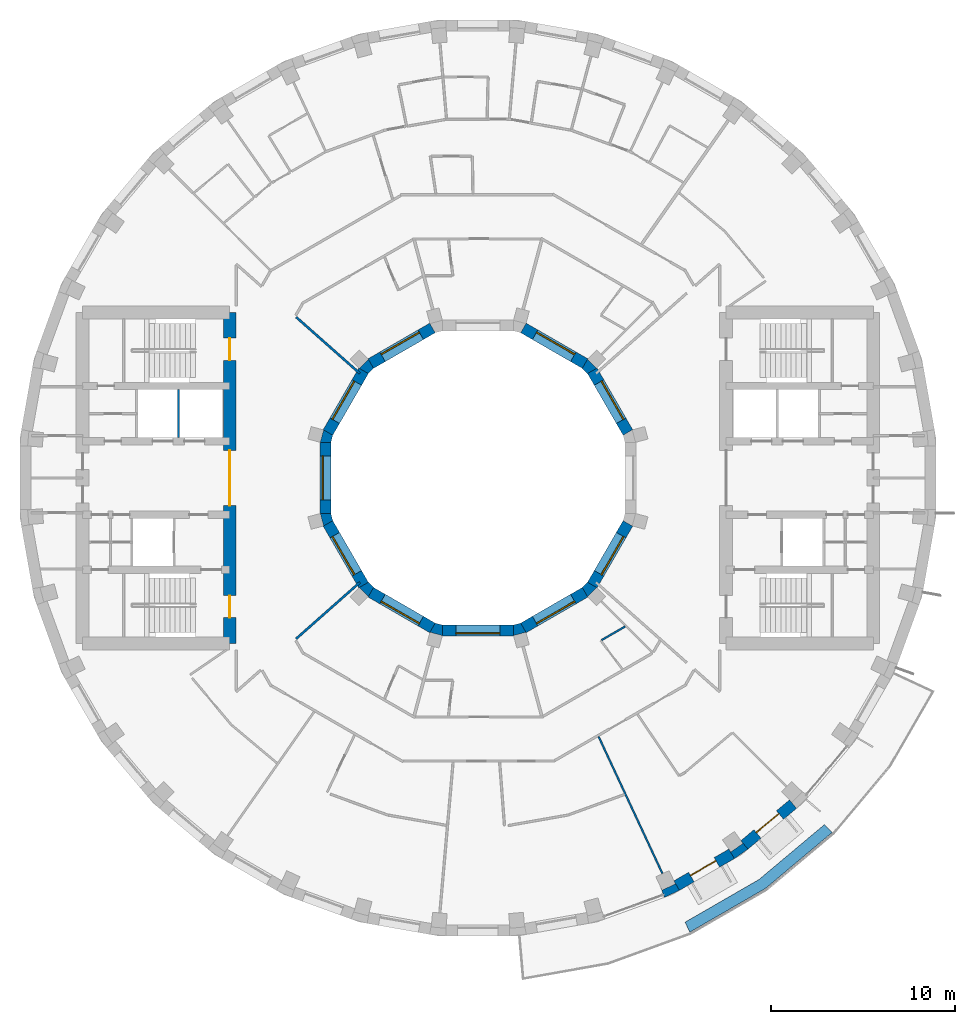
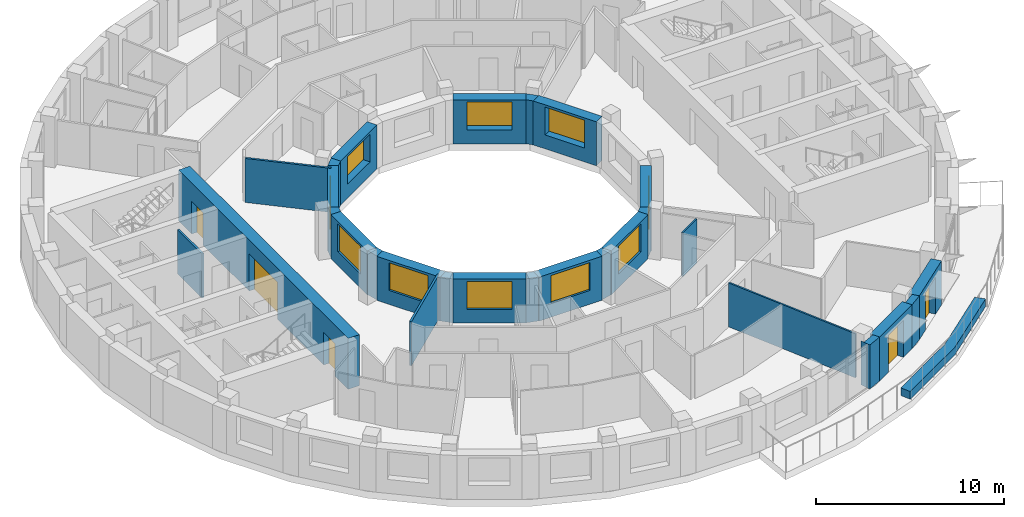
# One storey, part 8 of 15: 29 walls, 10 windows, 5 doors, 15 openings.
"""IFC4 building model written with IfcOpenShell, lengths in metres."""

from ifc_helpers import new_model, si_unit, direction, frame, frame_2d, origin, place, context, subcontext, project, spatial, polyline, rectangle, outline, extrude, material, layer, layer_set, type_object, element, fill, save


model = new_model("IFC4")

# Units and contexts
model_context = context("Model", 3, precision=1e-05, world=origin(), true_north=direction((0.0, 1.0)))
body_context = subcontext(model_context, "Body", "Model", "MODEL_VIEW")
ifc_project = project(units=[si_unit("LENGTHUNIT", "METRE"), si_unit("AREAUNIT", "SQUARE_METRE"), si_unit("VOLUMEUNIT", "CUBIC_METRE"), si_unit("PLANEANGLEUNIT", "RADIAN"), si_unit("MASSUNIT", "GRAM", prefix="KILO")], contexts=[model_context])

# Site, building, storey
site_placement = place(None, origin())
site = spatial("IfcSite", under=ifc_project, at=site_placement, CompositionType="ELEMENT")
building_placement = place(site_placement, origin())
building = spatial("IfcBuilding", under=site, at=building_placement, Name="Saqina Gate Tower", CompositionType="ELEMENT")
storey_placement = place(building_placement, frame((0.0, 0.0, 167.39990234375)))
storey = spatial("IfcBuildingStorey", under=building, at=storey_placement, Name="L47", CompositionType="ELEMENT", Elevation=167.39990234375)

# Walls
ifc_material_1 = material(Name="Brick masonry (buff)", Category="masonry")
wall_type_1 = type_object("IfcWallType", Name="BRICK PIER COPING BUFF", PredefinedType="SOLIDWALL", material=ifc_material_1)
wall_1_placement = place(storey_placement, origin())
element("IfcWall", 1, at=wall_1_placement, inside=storey, type_object=wall_type_1, Name="Pier cap L47 column 30", PredefinedType="SOLIDWALL", context=body_context, shape_type="SweptSolid", body=[
    extrude(outline(polyline([(10.958740234375, -22.4306640625), (10.65869140625, -21.9111328125), (10.73779296875, -22.080810546875), (10.0126953125, -22.4189453125), (9.93359375, -22.249267578125), (10.138916015625, -22.81298828125), (10.958740234375, -22.4306640625)])), origin(), (0.0, 0.0, 1.0), 2.85009765625),
])
wall_2_placement = place(storey_placement, origin())
element("IfcWall", 2, at=wall_2_placement, inside=storey, type_object=wall_type_1, Name="Pier cap L47 column 31", PredefinedType="SOLIDWALL", context=body_context, shape_type="SweptSolid", body=[
    extrude(outline(polyline([(13.9462890625, -20.705810546875), (14.687255859375, -20.18701171875), (14.301513671875, -19.727294921875), (14.408935546875, -19.880859375), (13.753662109375, -20.339599609375), (13.646240234375, -20.186279296875), (13.9462890625, -20.705810546875)])), origin(), (0.0, 0.0, 1.0), 2.85009765625),
])

# Wall, opening, door
ifc_material_2 = material(Name="Brick masonry (buff)", Category="masonry")
ifc_layer_1 = layer(ifc_material_2, 0.60009765625)
ifc_layer_set_1 = layer_set([ifc_layer_1], Name="FW-BRICK-BUFF")
wall_type_2 = type_object("IfcWallType", Name="FW-BRICK-BUFF", PredefinedType="SOLIDWALL", material=ifc_layer_set_1)
wall_3_placement = place(storey_placement, frame((10.80859375, -22.1708984375, 0.0), z_axis=(0.0, 0.0, 1.0), x_axis=(0.86602648383, 0.499998129301, 0.0)))
wall_3 = element("IfcWall", 3, at=wall_3_placement, inside=storey, type_object=wall_type_2, Name="Facade wall L47 facet 30", PredefinedType="SOLIDWALL", context=body_context, shape_type="SweptSolid", body=[
    extrude(rectangle(XDim=3.44970703125, YDim=0.60009765625, at=frame_2d((1.724853515625, 0.0))), origin(), (0.0, 0.0, 1.0), 2.85009765625),
])
opening_1_placement = place(wall_3_placement, frame((0.9248046875, 0.0, 0.0)))
opening_1 = element("IfcOpeningElement", 4, at=opening_1_placement, cuts=wall_3, Name="Opening G13-D80", PredefinedType="OPENING", context=body_context, shape_type="SweptSolid", body=[
    extrude(rectangle(XDim=1.60009765625, YDim=2.39990234375, at=frame_2d((0.800048828125, 1.199951171875))), frame((0.0, 0.31201171875, 0.0), z_axis=(0.0, -1.0, 0.0), x_axis=(1.0, 0.0, 0.0)), (0.0, 0.0, 1.0), 0.6240234375),
])
ifc_material_3 = material(Name="Aluminium glazing", Category="aluminium")
door_type_1 = type_object("IfcDoorType", Name="GD-C", OperationType="DOUBLE_DOOR_SINGLE_SWING", PredefinedType="DOOR", material=ifc_material_3)
door_1_placement = place(opening_1_placement, frame((1.60009765625, 0.0, 0.0), z_axis=(0.0, 0.0, 1.0), x_axis=(-1.0, 0.0, 0.0)))
door_1 = element("IfcDoor", 5, at=door_1_placement, inside=storey, type_object=door_type_1, Name="Terrace door L47 facet 30", OperationType="DOUBLE_DOOR_SINGLE_SWING", OverallHeight=2.39990234375, OverallWidth=1.60009765625, PredefinedType="DOOR", context=body_context, shape_type="SweptSolid", body=[
    extrude(rectangle(XDim=1.60009765625, YDim=2.39990234375, at=frame_2d((0.800048828125, 1.199951171875))), frame((0.0, -0.0751953125, 0.0), z_axis=(0.0, -1.0, 0.0), x_axis=(1.0, 0.0, 0.0)), (0.0, 0.0, 1.0), 0.050048828125),
])
fill(opening_1, door_1)

wall_4_placement = place(storey_placement, frame((14.494384765625, -19.95703125, 0.0), z_axis=(0.0, 0.0, 1.0), x_axis=(0.766058884809, 0.642770398358, 0.0)))
wall_4 = element("IfcWall", 6, at=wall_4_placement, inside=storey, type_object=wall_type_2, Name="Facade wall L47 facet 31", PredefinedType="SOLIDWALL", context=body_context, shape_type="SweptSolid", body=[
    extrude(rectangle(XDim=3.449462890625, YDim=0.60009765625, at=frame_2d((1.724609375, 0.0))), origin(), (0.0, 0.0, 1.0), 2.85009765625),
])
opening_2_placement = place(wall_4_placement, frame((0.9248046875, 0.0, 0.0)))
opening_2 = element("IfcOpeningElement", 7, at=opening_2_placement, cuts=wall_4, Name="Opening G13-D81", PredefinedType="OPENING", context=body_context, shape_type="SweptSolid", body=[
    extrude(rectangle(XDim=1.60009765625, YDim=2.39990234375, at=frame_2d((0.800048828125, 1.199951171875))), frame((0.0, 0.31201171875, 0.0), z_axis=(0.0, -1.0, 0.0), x_axis=(1.0, 0.0, 0.0)), (0.0, 0.0, 1.0), 0.6240234375),
])
door_2_placement = place(opening_2_placement, frame((1.60009765625, 0.0, 0.0), z_axis=(0.0, 0.0, 1.0), x_axis=(-1.0, 0.0, 0.0)))
door_2 = element("IfcDoor", 8, at=door_2_placement, inside=storey, type_object=door_type_1, Name="Terrace door L47 facet 31", OperationType="DOUBLE_DOOR_SINGLE_SWING", OverallHeight=2.39990234375, OverallWidth=1.60009765625, PredefinedType="DOOR", context=body_context, shape_type="SweptSolid", body=[
    extrude(rectangle(XDim=1.60009765625, YDim=2.39990234375, at=frame_2d((0.800048828125, 1.199951171875))), frame((0.0, -0.0751953125, 0.0), z_axis=(0.0, -1.0, 0.0), x_axis=(1.0, 0.0, 0.0)), (0.0, 0.0, 1.0), 0.050048828125),
])
fill(opening_2, door_2)

# Wall, opening, window
ifc_material_4 = material(Name="Glazed ceramic tile", Category="ceramic")
ifc_layer_2 = layer(ifc_material_4, 0.60009765625)
ifc_layer_set_2 = layer_set([ifc_layer_2], Name="IW-TILE")
wall_type_3 = type_object("IfcWallType", Name="IW-TILE", PredefinedType="SOLIDWALL", material=ifc_layer_set_2)
wall_5_placement = place(storey_placement, frame((8.155517578125, 2.474365234375, 0.0), z_axis=(0.0, 0.0, 1.0), x_axis=(-0.500033728941, 0.866005929495, 0.0)))
wall_5 = element("IfcWall", 9, at=wall_5_placement, inside=storey, type_object=wall_type_3, Name="Well wall L47 facet 1", PredefinedType="SOLIDWALL", context=body_context, shape_type="SweptSolid", body=[
    extrude(rectangle(XDim=3.869873046875, YDim=0.60009765625, at=frame_2d((1.93505859375, 0.0))), origin(), (0.0, 0.0, 1.0), 2.85009765625),
])
opening_3_placement = place(wall_5_placement, frame((0.73486328125, 0.0, 0.89990234375)))
opening_3 = element("IfcOpeningElement", 10, at=opening_3_placement, cuts=wall_5, Name="Opening G13-W23", PredefinedType="OPENING", context=body_context, shape_type="SweptSolid", body=[
    extrude(rectangle(XDim=2.39990234375, YDim=1.800048828125, at=frame_2d((1.199951171875, 0.89990234375))), frame((0.0, 0.31201171875, 0.0), z_axis=(0.0, -1.0, 0.0), x_axis=(1.0, 0.0, 0.0)), (0.0, 0.0, 1.0), 0.6240234375),
])
ifc_material_5 = material(Name="Aluminium glazing", Category="aluminium")
window_type = type_object("IfcWindowType", Name="WN-W", PartitioningType="SINGLE_PANEL", PredefinedType="WINDOW", material=ifc_material_5)
window_1_placement = place(opening_3_placement, origin())
window_1 = element("IfcWindow", 11, at=window_1_placement, inside=storey, type_object=window_type, Name="Well window L47 facet 1", OverallHeight=1.800048828125, OverallWidth=2.39990234375, PartitioningType="SINGLE_PANEL", PredefinedType="WINDOW", context=body_context, shape_type="SweptSolid", body=[
    extrude(rectangle(XDim=2.39990234375, YDim=1.800048828125, at=frame_2d((1.199951171875, 0.89990234375))), frame((0.0, -0.119873046875, 0.0), z_axis=(0.0, -1.0, 0.0), x_axis=(1.0, 0.0, 0.0)), (0.0, 0.0, 1.0), 0.06005859375),
])
fill(opening_3, window_1)

wall_6_placement = place(storey_placement, frame((5.82568359375, 6.220458984375, 0.0), z_axis=(0.0, 0.0, 1.0), x_axis=(-0.866005929495, 0.500033728941, 0.0)))
wall_6 = element("IfcWall", 12, at=wall_6_placement, inside=storey, type_object=wall_type_3, Name="Well wall L47 facet 2", PredefinedType="SOLIDWALL", context=body_context, shape_type="SweptSolid", body=[
    extrude(rectangle(XDim=3.869873046875, YDim=0.60009765625, at=frame_2d((1.93505859375, 0.0))), origin(), (0.0, 0.0, 1.0), 2.85009765625),
])
opening_4_placement = place(wall_6_placement, frame((0.73486328125, 0.0, 0.89990234375)))
opening_4 = element("IfcOpeningElement", 13, at=opening_4_placement, cuts=wall_6, Name="Opening G13-W24", PredefinedType="OPENING", context=body_context, shape_type="SweptSolid", body=[
    extrude(rectangle(XDim=2.39990234375, YDim=1.800048828125, at=frame_2d((1.199951171875, 0.89990234375))), frame((0.0, 0.31201171875, 0.0), z_axis=(0.0, -1.0, 0.0), x_axis=(1.0, 0.0, 0.0)), (0.0, 0.0, 1.0), 0.6240234375),
])
window_2_placement = place(opening_4_placement, origin())
window_2 = element("IfcWindow", 14, at=window_2_placement, inside=storey, type_object=window_type, Name="Well window L47 facet 2", OverallHeight=1.800048828125, OverallWidth=2.39990234375, PartitioningType="SINGLE_PANEL", PredefinedType="WINDOW", context=body_context, shape_type="SweptSolid", body=[
    extrude(rectangle(XDim=2.39990234375, YDim=1.800048828125, at=frame_2d((1.199951171875, 0.89990234375))), frame((0.0, -0.119873046875, 0.0), z_axis=(0.0, -1.0, 0.0), x_axis=(1.0, 0.0, 0.0)), (0.0, 0.0, 1.0), 0.06005859375),
])
fill(opening_4, window_2)

wall_7_placement = place(storey_placement, frame((-2.474365234375, 8.155517578125, 0.0), z_axis=(0.0, 0.0, 1.0), x_axis=(-0.866005929495, -0.500033728941, 0.0)))
wall_7 = element("IfcWall", 15, at=wall_7_placement, inside=storey, type_object=wall_type_3, Name="Well wall L47 facet 4", PredefinedType="SOLIDWALL", context=body_context, shape_type="SweptSolid", body=[
    extrude(rectangle(XDim=3.869873046875, YDim=0.60009765625, at=frame_2d((1.93505859375, 0.0))), origin(), (0.0, 0.0, 1.0), 2.85009765625),
])
opening_5_placement = place(wall_7_placement, frame((0.73486328125, 0.0, 0.89990234375)))
opening_5 = element("IfcOpeningElement", 16, at=opening_5_placement, cuts=wall_7, Name="Opening G13-W26", PredefinedType="OPENING", context=body_context, shape_type="SweptSolid", body=[
    extrude(rectangle(XDim=2.39990234375, YDim=1.800048828125, at=frame_2d((1.199951171875, 0.89990234375))), frame((0.0, 0.31201171875, 0.0), z_axis=(0.0, -1.0, 0.0), x_axis=(1.0, 0.0, 0.0)), (0.0, 0.0, 1.0), 0.6240234375),
])
window_3_placement = place(opening_5_placement, origin())
window_3 = element("IfcWindow", 17, at=window_3_placement, inside=storey, type_object=window_type, Name="Well window L47 facet 4", OverallHeight=1.800048828125, OverallWidth=2.39990234375, PartitioningType="SINGLE_PANEL", PredefinedType="WINDOW", context=body_context, shape_type="SweptSolid", body=[
    extrude(rectangle(XDim=2.39990234375, YDim=1.800048828125, at=frame_2d((1.199951171875, 0.89990234375))), frame((0.0, -0.119873046875, 0.0), z_axis=(0.0, -1.0, 0.0), x_axis=(1.0, 0.0, 0.0)), (0.0, 0.0, 1.0), 0.06005859375),
])
fill(opening_5, window_3)

wall_8_placement = place(storey_placement, frame((-6.220458984375, 5.82568359375, 0.0), z_axis=(0.0, 0.0, 1.0), x_axis=(-0.500033728941, -0.866005929495, 0.0)))
wall_8 = element("IfcWall", 18, at=wall_8_placement, inside=storey, type_object=wall_type_3, Name="Well wall L47 facet 5", PredefinedType="SOLIDWALL", context=body_context, shape_type="SweptSolid", body=[
    extrude(rectangle(XDim=3.869873046875, YDim=0.60009765625, at=frame_2d((1.93505859375, 0.0))), origin(), (0.0, 0.0, 1.0), 2.85009765625),
])
opening_6_placement = place(wall_8_placement, frame((0.73486328125, 0.0, 0.89990234375)))
opening_6 = element("IfcOpeningElement", 19, at=opening_6_placement, cuts=wall_8, Name="Opening G13-W27", PredefinedType="OPENING", context=body_context, shape_type="SweptSolid", body=[
    extrude(rectangle(XDim=2.39990234375, YDim=1.800048828125, at=frame_2d((1.199951171875, 0.89990234375))), frame((0.0, 0.31201171875, 0.0), z_axis=(0.0, -1.0, 0.0), x_axis=(1.0, 0.0, 0.0)), (0.0, 0.0, 1.0), 0.6240234375),
])
window_4_placement = place(opening_6_placement, origin())
window_4 = element("IfcWindow", 20, at=window_4_placement, inside=storey, type_object=window_type, Name="Well window L47 facet 5", OverallHeight=1.800048828125, OverallWidth=2.39990234375, PartitioningType="SINGLE_PANEL", PredefinedType="WINDOW", context=body_context, shape_type="SweptSolid", body=[
    extrude(rectangle(XDim=2.39990234375, YDim=1.800048828125, at=frame_2d((1.199951171875, 0.89990234375))), frame((0.0, -0.119873046875, 0.0), z_axis=(0.0, -1.0, 0.0), x_axis=(1.0, 0.0, 0.0)), (0.0, 0.0, 1.0), 0.06005859375),
])
fill(opening_6, window_4)

wall_9_placement = place(storey_placement, frame((-8.300048828125, 1.934814453125, 0.0), z_axis=(0.0, 0.0, 1.0), x_axis=(0.0, -1.0, 0.0)))
wall_9 = element("IfcWall", 21, at=wall_9_placement, inside=storey, type_object=wall_type_3, Name="Well wall L47 facet 6", PredefinedType="SOLIDWALL", context=body_context, shape_type="SweptSolid", body=[
    extrude(rectangle(XDim=3.86962890625, YDim=0.60009765625, at=frame_2d((1.934814453125, 0.0))), origin(), (0.0, 0.0, 1.0), 2.85009765625),
])
opening_7_placement = place(wall_9_placement, frame((0.73486328125, 0.0, 0.89990234375)))
opening_7 = element("IfcOpeningElement", 22, at=opening_7_placement, cuts=wall_9, Name="Opening G13-W28", PredefinedType="OPENING", context=body_context, shape_type="SweptSolid", body=[
    extrude(rectangle(XDim=2.39990234375, YDim=1.800048828125, at=frame_2d((1.199951171875, 0.89990234375))), frame((0.0, 0.31201171875, 0.0), z_axis=(0.0, -1.0, 0.0), x_axis=(1.0, 0.0, 0.0)), (0.0, 0.0, 1.0), 0.6240234375),
])
window_5_placement = place(opening_7_placement, origin())
window_5 = element("IfcWindow", 23, at=window_5_placement, inside=storey, type_object=window_type, Name="Well window L47 facet 6", OverallHeight=1.800048828125, OverallWidth=2.39990234375, PartitioningType="SINGLE_PANEL", PredefinedType="WINDOW", context=body_context, shape_type="SweptSolid", body=[
    extrude(rectangle(XDim=2.39990234375, YDim=1.800048828125, at=frame_2d((1.199951171875, 0.89990234375))), frame((0.0, -0.119873046875, 0.0), z_axis=(0.0, -1.0, 0.0), x_axis=(1.0, 0.0, 0.0)), (0.0, 0.0, 1.0), 0.06005859375),
])
fill(opening_7, window_5)

wall_10_placement = place(storey_placement, frame((-8.155517578125, -2.474365234375, 0.0), z_axis=(0.0, 0.0, 1.0), x_axis=(0.500033728941, -0.866005929495, 0.0)))
wall_10 = element("IfcWall", 24, at=wall_10_placement, inside=storey, type_object=wall_type_3, Name="Well wall L47 facet 7", PredefinedType="SOLIDWALL", context=body_context, shape_type="SweptSolid", body=[
    extrude(rectangle(XDim=3.869873046875, YDim=0.60009765625, at=frame_2d((1.93505859375, 0.0))), origin(), (0.0, 0.0, 1.0), 2.85009765625),
])
opening_8_placement = place(wall_10_placement, frame((0.73486328125, 0.0, 0.89990234375)))
opening_8 = element("IfcOpeningElement", 25, at=opening_8_placement, cuts=wall_10, Name="Opening G13-W29", PredefinedType="OPENING", context=body_context, shape_type="SweptSolid", body=[
    extrude(rectangle(XDim=2.39990234375, YDim=1.800048828125, at=frame_2d((1.199951171875, 0.89990234375))), frame((0.0, 0.31201171875, 0.0), z_axis=(0.0, -1.0, 0.0), x_axis=(1.0, 0.0, 0.0)), (0.0, 0.0, 1.0), 0.6240234375),
])
window_6_placement = place(opening_8_placement, origin())
window_6 = element("IfcWindow", 26, at=window_6_placement, inside=storey, type_object=window_type, Name="Well window L47 facet 7", OverallHeight=1.800048828125, OverallWidth=2.39990234375, PartitioningType="SINGLE_PANEL", PredefinedType="WINDOW", context=body_context, shape_type="SweptSolid", body=[
    extrude(rectangle(XDim=2.39990234375, YDim=1.800048828125, at=frame_2d((1.199951171875, 0.89990234375))), frame((0.0, -0.119873046875, 0.0), z_axis=(0.0, -1.0, 0.0), x_axis=(1.0, 0.0, 0.0)), (0.0, 0.0, 1.0), 0.06005859375),
])
fill(opening_8, window_6)

wall_11_placement = place(storey_placement, frame((-5.82568359375, -6.220458984375, 0.0), z_axis=(0.0, 0.0, 1.0), x_axis=(0.866005929495, -0.500033728941, 0.0)))
wall_11 = element("IfcWall", 27, at=wall_11_placement, inside=storey, type_object=wall_type_3, Name="Well wall L47 facet 8", PredefinedType="SOLIDWALL", context=body_context, shape_type="SweptSolid", body=[
    extrude(rectangle(XDim=3.869873046875, YDim=0.60009765625, at=frame_2d((1.93505859375, 0.0))), origin(), (0.0, 0.0, 1.0), 2.85009765625),
])
opening_9_placement = place(wall_11_placement, frame((0.73486328125, 0.0, 0.89990234375)))
opening_9 = element("IfcOpeningElement", 28, at=opening_9_placement, cuts=wall_11, Name="Opening G13-W30", PredefinedType="OPENING", context=body_context, shape_type="SweptSolid", body=[
    extrude(rectangle(XDim=2.39990234375, YDim=1.800048828125, at=frame_2d((1.199951171875, 0.89990234375))), frame((0.0, 0.31201171875, 0.0), z_axis=(0.0, -1.0, 0.0), x_axis=(1.0, 0.0, 0.0)), (0.0, 0.0, 1.0), 0.6240234375),
])
window_7_placement = place(opening_9_placement, origin())
window_7 = element("IfcWindow", 29, at=window_7_placement, inside=storey, type_object=window_type, Name="Well window L47 facet 8", OverallHeight=1.800048828125, OverallWidth=2.39990234375, PartitioningType="SINGLE_PANEL", PredefinedType="WINDOW", context=body_context, shape_type="SweptSolid", body=[
    extrude(rectangle(XDim=2.39990234375, YDim=1.800048828125, at=frame_2d((1.199951171875, 0.89990234375))), frame((0.0, -0.119873046875, 0.0), z_axis=(0.0, -1.0, 0.0), x_axis=(1.0, 0.0, 0.0)), (0.0, 0.0, 1.0), 0.06005859375),
])
fill(opening_9, window_7)

wall_12_placement = place(storey_placement, frame((-1.934814453125, -8.300048828125, 0.0), z_axis=(0.0, 0.0, 1.0), x_axis=(1.0, 0.0, 0.0)))
wall_12 = element("IfcWall", 30, at=wall_12_placement, inside=storey, type_object=wall_type_3, Name="Well wall L47 facet 9", PredefinedType="SOLIDWALL", context=body_context, shape_type="SweptSolid", body=[
    extrude(rectangle(XDim=3.86962890625, YDim=0.60009765625, at=frame_2d((1.934814453125, 0.0))), origin(), (0.0, 0.0, 1.0), 2.85009765625),
])
opening_10_placement = place(wall_12_placement, frame((0.73486328125, 0.0, 0.89990234375)))
opening_10 = element("IfcOpeningElement", 31, at=opening_10_placement, cuts=wall_12, Name="Opening G13-W31", PredefinedType="OPENING", context=body_context, shape_type="SweptSolid", body=[
    extrude(rectangle(XDim=2.39990234375, YDim=1.800048828125, at=frame_2d((1.199951171875, 0.89990234375))), frame((0.0, 0.31201171875, 0.0), z_axis=(0.0, -1.0, 0.0), x_axis=(1.0, 0.0, 0.0)), (0.0, 0.0, 1.0), 0.6240234375),
])
window_8_placement = place(opening_10_placement, origin())
window_8 = element("IfcWindow", 32, at=window_8_placement, inside=storey, type_object=window_type, Name="Well window L47 facet 9", OverallHeight=1.800048828125, OverallWidth=2.39990234375, PartitioningType="SINGLE_PANEL", PredefinedType="WINDOW", context=body_context, shape_type="SweptSolid", body=[
    extrude(rectangle(XDim=2.39990234375, YDim=1.800048828125, at=frame_2d((1.199951171875, 0.89990234375))), frame((0.0, -0.119873046875, 0.0), z_axis=(0.0, -1.0, 0.0), x_axis=(1.0, 0.0, 0.0)), (0.0, 0.0, 1.0), 0.06005859375),
])
fill(opening_10, window_8)

wall_13_placement = place(storey_placement, frame((2.474365234375, -8.155517578125, 0.0), z_axis=(0.0, 0.0, 1.0), x_axis=(0.866005929495, 0.500033728941, 0.0)))
wall_13 = element("IfcWall", 33, at=wall_13_placement, inside=storey, type_object=wall_type_3, Name="Well wall L47 facet 10", PredefinedType="SOLIDWALL", context=body_context, shape_type="SweptSolid", body=[
    extrude(rectangle(XDim=3.869873046875, YDim=0.60009765625, at=frame_2d((1.93505859375, 0.0))), origin(), (0.0, 0.0, 1.0), 2.85009765625),
])
opening_11_placement = place(wall_13_placement, frame((0.73486328125, 0.0, 0.89990234375)))
opening_11 = element("IfcOpeningElement", 34, at=opening_11_placement, cuts=wall_13, Name="Opening G13-W32", PredefinedType="OPENING", context=body_context, shape_type="SweptSolid", body=[
    extrude(rectangle(XDim=2.39990234375, YDim=1.800048828125, at=frame_2d((1.199951171875, 0.89990234375))), frame((0.0, 0.31201171875, 0.0), z_axis=(0.0, -1.0, 0.0), x_axis=(1.0, 0.0, 0.0)), (0.0, 0.0, 1.0), 0.6240234375),
])
window_9_placement = place(opening_11_placement, origin())
window_9 = element("IfcWindow", 35, at=window_9_placement, inside=storey, type_object=window_type, Name="Well window L47 facet 10", OverallHeight=1.800048828125, OverallWidth=2.39990234375, PartitioningType="SINGLE_PANEL", PredefinedType="WINDOW", context=body_context, shape_type="SweptSolid", body=[
    extrude(rectangle(XDim=2.39990234375, YDim=1.800048828125, at=frame_2d((1.199951171875, 0.89990234375))), frame((0.0, -0.119873046875, 0.0), z_axis=(0.0, -1.0, 0.0), x_axis=(1.0, 0.0, 0.0)), (0.0, 0.0, 1.0), 0.06005859375),
])
fill(opening_11, window_9)

wall_14_placement = place(storey_placement, frame((6.220458984375, -5.82568359375, 0.0), z_axis=(0.0, 0.0, 1.0), x_axis=(0.500033728941, 0.866005929495, 0.0)))
wall_14 = element("IfcWall", 36, at=wall_14_placement, inside=storey, type_object=wall_type_3, Name="Well wall L47 facet 11", PredefinedType="SOLIDWALL", context=body_context, shape_type="SweptSolid", body=[
    extrude(rectangle(XDim=3.869873046875, YDim=0.60009765625, at=frame_2d((1.93505859375, 0.0))), origin(), (0.0, 0.0, 1.0), 2.85009765625),
])
opening_12_placement = place(wall_14_placement, frame((0.73486328125, 0.0, 0.89990234375)))
opening_12 = element("IfcOpeningElement", 37, at=opening_12_placement, cuts=wall_14, Name="Opening G13-W33", PredefinedType="OPENING", context=body_context, shape_type="SweptSolid", body=[
    extrude(rectangle(XDim=2.39990234375, YDim=1.800048828125, at=frame_2d((1.199951171875, 0.89990234375))), frame((0.0, 0.31201171875, 0.0), z_axis=(0.0, -1.0, 0.0), x_axis=(1.0, 0.0, 0.0)), (0.0, 0.0, 1.0), 0.6240234375),
])
window_10_placement = place(opening_12_placement, origin())
window_10 = element("IfcWindow", 38, at=window_10_placement, inside=storey, type_object=window_type, Name="Well window L47 facet 11", OverallHeight=1.800048828125, OverallWidth=2.39990234375, PartitioningType="SINGLE_PANEL", PredefinedType="WINDOW", context=body_context, shape_type="SweptSolid", body=[
    extrude(rectangle(XDim=2.39990234375, YDim=1.800048828125, at=frame_2d((1.199951171875, 0.89990234375))), frame((0.0, -0.119873046875, 0.0), z_axis=(0.0, -1.0, 0.0), x_axis=(1.0, 0.0, 0.0)), (0.0, 0.0, 1.0), 0.06005859375),
])
fill(opening_12, window_10)

# Walls
ifc_material_6 = material(Name="Gypsum board on steel studs, 100 mm", Category="steel")
ifc_layer_3 = layer(ifc_material_6, 0.10009765625)
ifc_layer_set_3 = layer_set([ifc_layer_3], Name="PARTITION 100")
wall_type_4 = type_object("IfcWallType", Name="PARTITION 100", PredefinedType="PARTITIONING", material=ifc_layer_set_3)
wall_15_placement = place(storey_placement, frame((6.56201171875, -14.06640625, 0.0), z_axis=(0.0, 0.0, 1.0), x_axis=(0.422374740617, -0.906421302976, 0.0)))
element("IfcWall", 39, at=wall_15_placement, inside=storey, type_object=wall_type_4, Name="PARTITION PW3-10", PredefinedType="PARTITIONING", context=body_context, shape_type="SweptSolid", body=[
    extrude(rectangle(XDim=8.21826171875, YDim=0.10009765625, at=frame_2d((4.109130859375, 0.0))), origin(), (0.0, 0.0, 1.0), 2.85009765625),
])
wall_16_placement = place(storey_placement, frame((6.724365234375, -8.819091796875, 0.0), z_axis=(0.0, 0.0, 1.0), x_axis=(0.866292397233, 0.499537268376, 0.0)))
element("IfcWall", 40, at=wall_16_placement, inside=storey, type_object=wall_type_4, Name="PARTITION PW3-43", PredefinedType="PARTITIONING", context=body_context, shape_type="SweptSolid", body=[
    extrude(rectangle(XDim=1.48388671875, YDim=0.10009765625, at=frame_2d((0.741943359375, 0.0))), origin(), (0.0, 0.0, 1.0), 2.85009765625),
])
ifc_material_7 = material(Name="Gypsum board on steel studs, 125 mm, fire rated", Category="steel")
ifc_layer_4 = layer(ifc_material_7, 0.125)
ifc_layer_set_4 = layer_set([ifc_layer_4], Name="PARTITION EI 30 125")
wall_type_5 = type_object("IfcWallType", Name="PARTITION EI 30 125", PredefinedType="PARTITIONING", material=ifc_layer_set_4)
for number, where, z_axis, x_axis, name in (
    (41, (-9.89111328125, 8.750732421875, 0.0), (0.0, 0.0, 1.0), (0.748982485585, -0.662589794886, 0.0), "PARTITION PW1-07"),
    (42, (-9.89111328125, -8.750732421875, 0.0), (0.0, 0.0, 1.0), (0.748982485585, 0.662589794886, 0.0), "PARTITION PW1-31"),
):
    element("IfcWall", number, at=place(storey_placement, frame(where, z_axis=z_axis, x_axis=x_axis)), inside=storey, type_object=wall_type_5, Name=name, PredefinedType="PARTITIONING", context=body_context, shape_type="SweptSolid", body=[
        extrude(rectangle(XDim=4.634521484375, YDim=0.125, at=frame_2d((2.3173828125, 0.0))), origin(), (0.0, 0.0, 1.0), 2.85009765625),
    ])
ifc_material_8 = material(Name="Brick masonry (red)", Category="masonry")
ifc_layer_5 = layer(ifc_material_8, 0.60009765625)
ifc_layer_set_5 = layer_set([ifc_layer_5], Name="PL-PLANTER")
wall_type_6 = type_object("IfcWallType", Name="PL-PLANTER", PredefinedType="PARAPET", material=ifc_layer_set_5)
wall_17_placement = place(storey_placement, origin())
element("IfcWall", 43, at=wall_17_placement, inside=storey, type_object=wall_type_6, Name="Planter L47", PredefinedType="PARAPET", context=body_context, shape_type="SweptSolid", body=[
    extrude(outline(polyline([(11.52001953125, -24.70458984375), (15.635009765625, -22.328857421875), (19.274658203125, -19.274658203125), (18.848876953125, -18.848876953125), (15.289306640625, -21.835693359375), (11.265380859375, -24.15869140625), (11.52001953125, -24.70458984375)])), origin(), (0.0, 0.0, 1.0), 0.5),
])
ifc_material_9 = material(Name="Autoclaved aerated concrete block", Category="concrete")
ifc_layer_6 = layer(ifc_material_9, 0.1201171875)
ifc_layer_set_6 = layer_set([ifc_layer_6], Name="SHAFT PARTITION")
wall_type_7 = type_object("IfcWallType", Name="SHAFT PARTITION", PredefinedType="PARTITIONING", material=ifc_layer_set_6)
wall_18_placement = place(storey_placement, frame((-16.280029296875, 2.199951171875, 0.0), z_axis=(0.0, 0.0, 1.0), x_axis=(0.0, 1.0, 0.0)))
element("IfcWall", 44, at=wall_18_placement, inside=storey, type_object=wall_type_7, Name="L47-CP-W06", PredefinedType="PARTITIONING", context=body_context, shape_type="SweptSolid", body=[
    extrude(rectangle(XDim=2.60009765625, YDim=0.1201171875, at=frame_2d((1.300048828125, 0.0))), origin(), (0.0, 0.0, 1.0), 2.85009765625),
])

# Wall, openings, doors
ifc_material_10 = material(Name="Concrete C60/75", Category="concrete")
ifc_layer_7 = layer(ifc_material_10, 0.699951171875)
ifc_layer_set_7 = layer_set([ifc_layer_7], Name="Concrete C60/75")
wall_type_8 = type_object("IfcWallType", Name="STR-CORE WALL-C-O", PredefinedType="SHEAR", material=ifc_layer_set_7)
wall_19_placement = place(storey_placement, frame((-13.5, -9.0, 0.0), z_axis=(0.0, 0.0, 1.0), x_axis=(0.0, 1.0, 0.0)))
wall_19 = element("IfcWall", 45, at=wall_19_placement, inside=storey, type_object=wall_type_8, Name="CORE WALL L47 W-W1", PredefinedType="SHEAR", context=body_context, shape_type="SweptSolid", body=[
    extrude(rectangle(XDim=18.0, YDim=0.699951171875, at=frame_2d((9.0, 0.0))), origin(), (0.0, 0.0, 1.0), 3.300048828125),
])
opening_13_placement = place(wall_19_placement, frame((15.39990234375, 0.0, 0.0)))
opening_13 = element("IfcOpeningElement", 46, at=opening_13_placement, cuts=wall_19, Name="Opening G13-D121", PredefinedType="OPENING", context=body_context, shape_type="SweptSolid", body=[
    extrude(rectangle(XDim=1.199951171875, YDim=2.10009765625, at=frame_2d((0.60009765625, 1.050048828125))), frame((0.0, 0.362060546875, 0.0), z_axis=(0.0, -1.0, 0.0), x_axis=(1.0, 0.0, 0.0)), (0.0, 0.0, 1.0), 0.723876953125),
])
opening_14_placement = place(wall_19_placement, frame((1.39990234375, 0.0, 0.0)))
opening_14 = element("IfcOpeningElement", 47, at=opening_14_placement, cuts=wall_19, Name="Opening G13-D122", PredefinedType="OPENING", context=body_context, shape_type="SweptSolid", body=[
    extrude(rectangle(XDim=1.199951171875, YDim=2.10009765625, at=frame_2d((0.60009765625, 1.050048828125))), frame((0.0, 0.362060546875, 0.0), z_axis=(0.0, -1.0, 0.0), x_axis=(1.0, 0.0, 0.0)), (0.0, 0.0, 1.0), 0.723876953125),
])
opening_15_placement = place(wall_19_placement, frame((7.5, 0.0, 0.0)))
opening_15 = element("IfcOpeningElement", 48, at=opening_15_placement, cuts=wall_19, Name="Opening G13-D123", PredefinedType="OPENING", context=body_context, shape_type="SweptSolid", body=[
    extrude(rectangle(XDim=3.0, YDim=2.39990234375, at=frame_2d((1.5, 1.199951171875))), frame((0.0, 0.362060546875, 0.0), z_axis=(0.0, -1.0, 0.0), x_axis=(1.0, 0.0, 0.0)), (0.0, 0.0, 1.0), 0.723876953125),
])
ifc_material_11 = material(Name="Steel", Category="steel")
door_type_2 = type_object("IfcDoorType", Name="FIRE DOOR EI 60", OperationType="SINGLE_SWING_LEFT", PredefinedType="DOOR", material=ifc_material_11)
door_3_placement = place(opening_13_placement, origin())
door_3 = element("IfcDoor", 49, at=door_3_placement, inside=storey, type_object=door_type_2, Name="L47-CD-W32", OperationType="SINGLE_SWING_RIGHT", OverallHeight=2.10009765625, OverallWidth=1.199951171875, PredefinedType="DOOR", context=body_context, shape_type="SweptSolid", body=[
    extrude(rectangle(XDim=1.199951171875, YDim=2.10009765625, at=frame_2d((0.60009765625, 1.050048828125))), frame((0.0, 0.02490234375, 0.0), z_axis=(0.0, -1.0, 0.0), x_axis=(1.0, 0.0, 0.0)), (0.0, 0.0, 1.0), 0.050048828125),
])
fill(opening_13, door_3)
door_4_placement = place(opening_14_placement, origin())
door_4 = element("IfcDoor", 50, at=door_4_placement, inside=storey, type_object=door_type_2, Name="L47-CD-W33", OperationType="SINGLE_SWING_LEFT", OverallHeight=2.10009765625, OverallWidth=1.199951171875, PredefinedType="DOOR", context=body_context, shape_type="SweptSolid", body=[
    extrude(rectangle(XDim=1.199951171875, YDim=2.10009765625, at=frame_2d((0.60009765625, 1.050048828125))), frame((0.0, 0.02490234375, 0.0), z_axis=(0.0, -1.0, 0.0), x_axis=(1.0, 0.0, 0.0)), (0.0, 0.0, 1.0), 0.050048828125),
])
fill(opening_14, door_4)
ifc_material_12 = material(Name="Steel and fire-resisting glass", Category="steel")
door_type_3 = type_object("IfcDoorType", Name="LOBBY SCREEN DOOR", OperationType="DOUBLE_DOOR_SLIDING", PredefinedType="DOOR", material=ifc_material_12)
door_5_placement = place(opening_15_placement, origin())
door_5 = element("IfcDoor", 51, at=door_5_placement, inside=storey, type_object=door_type_3, Name="L47-CD-W34", OperationType="DOUBLE_DOOR_SLIDING", OverallHeight=2.39990234375, OverallWidth=3.0, PredefinedType="DOOR", context=body_context, shape_type="SweptSolid", body=[
    extrude(rectangle(XDim=3.0, YDim=2.39990234375, at=frame_2d((1.5, 1.199951171875))), frame((0.0, 0.02490234375, 0.0), z_axis=(0.0, -1.0, 0.0), x_axis=(1.0, 0.0, 0.0)), (0.0, 0.0, 1.0), 0.050048828125),
])
fill(opening_15, door_5)

# Walls
ifc_material_13 = material(Name="Glazed ceramic tile", Category="ceramic")
wall_type_9 = type_object("IfcWallType", Name="TILE PIER COPING", PredefinedType="SOLIDWALL", material=ifc_material_13)
wall_20_placement = place(storey_placement, origin())
element("IfcWall", 52, at=wall_20_placement, inside=storey, type_object=wall_type_9, Name="Well pier cap L47 column 2", PredefinedType="SOLIDWALL", context=body_context, shape_type="SweptSolid", body=[
    extrude(outline(polyline([(5.96240234375, 6.45751953125), (5.67578125, 5.960693359375), (5.960693359375, 5.67578125), (6.45751953125, 5.96240234375), (5.96240234375, 6.45751953125)])), origin(), (0.0, 0.0, 1.0), 2.85009765625),
])
wall_21_placement = place(storey_placement, origin())
element("IfcWall", 53, at=wall_21_placement, inside=storey, type_object=wall_type_9, Name="Well pier cap L47 column 5", PredefinedType="SOLIDWALL", context=body_context, shape_type="SweptSolid", body=[
    extrude(outline(polyline([(-6.45751953125, 5.96240234375), (-5.960693359375, 5.67578125), (-5.67578125, 5.960693359375), (-5.96240234375, 6.45751953125), (-6.45751953125, 5.96240234375)])), origin(), (0.0, 0.0, 1.0), 2.85009765625),
])
wall_22_placement = place(storey_placement, origin())
element("IfcWall", 54, at=wall_22_placement, inside=storey, type_object=wall_type_9, Name="Well pier cap L47 column 6", PredefinedType="SOLIDWALL", context=body_context, shape_type="SweptSolid", body=[
    extrude(outline(polyline([(-8.573486328125, 1.934814453125), (-8.0, 1.934814453125), (-7.895751953125, 2.32421875), (-8.392333984375, 2.611083984375), (-8.573486328125, 1.934814453125)])), origin(), (0.0, 0.0, 1.0), 2.85009765625),
])
wall_23_placement = place(storey_placement, origin())
element("IfcWall", 55, at=wall_23_placement, inside=storey, type_object=wall_type_9, Name="Well pier cap L47 column 7", PredefinedType="SOLIDWALL", context=body_context, shape_type="SweptSolid", body=[
    extrude(outline(polyline([(-8.0, -1.934814453125), (-8.573486328125, -1.934814453125), (-8.392333984375, -2.611083984375), (-7.895751953125, -2.32421875), (-8.0, -1.934814453125)])), origin(), (0.0, 0.0, 1.0), 2.85009765625),
])
wall_24_placement = place(storey_placement, origin())
element("IfcWall", 56, at=wall_24_placement, inside=storey, type_object=wall_type_9, Name="Well pier cap L47 column 8", PredefinedType="SOLIDWALL", context=body_context, shape_type="SweptSolid", body=[
    extrude(outline(polyline([(-6.45751953125, -5.96240234375), (-5.96240234375, -6.45751953125), (-5.67578125, -5.960693359375), (-5.960693359375, -5.67578125), (-6.45751953125, -5.96240234375)])), origin(), (0.0, 0.0, 1.0), 2.85009765625),
])
wall_25_placement = place(storey_placement, origin())
element("IfcWall", 57, at=wall_25_placement, inside=storey, type_object=wall_type_9, Name="Well pier cap L47 column 9", PredefinedType="SOLIDWALL", context=body_context, shape_type="SweptSolid", body=[
    extrude(outline(polyline([(-1.934814453125, -8.573486328125), (-1.934814453125, -8.0), (-2.32421875, -7.895751953125), (-2.611083984375, -8.392333984375), (-1.934814453125, -8.573486328125)])), origin(), (0.0, 0.0, 1.0), 2.85009765625),
])
wall_26_placement = place(storey_placement, origin())
element("IfcWall", 58, at=wall_26_placement, inside=storey, type_object=wall_type_9, Name="Well pier cap L47 column 10", PredefinedType="SOLIDWALL", context=body_context, shape_type="SweptSolid", body=[
    extrude(outline(polyline([(2.611083984375, -8.392333984375), (2.32421875, -7.895751953125), (1.934814453125, -8.0), (1.934814453125, -8.573486328125), (2.611083984375, -8.392333984375)])), origin(), (0.0, 0.0, 1.0), 2.85009765625),
])
wall_27_placement = place(storey_placement, origin())
element("IfcWall", 59, at=wall_27_placement, inside=storey, type_object=wall_type_9, Name="Well pier cap L47 column 11", PredefinedType="SOLIDWALL", context=body_context, shape_type="SweptSolid", body=[
    extrude(outline(polyline([(5.96240234375, -6.45751953125), (6.45751953125, -5.96240234375), (5.960693359375, -5.67578125), (5.67578125, -5.960693359375), (5.96240234375, -6.45751953125)])), origin(), (0.0, 0.0, 1.0), 2.85009765625),
])

save(model, "model.ifc")
